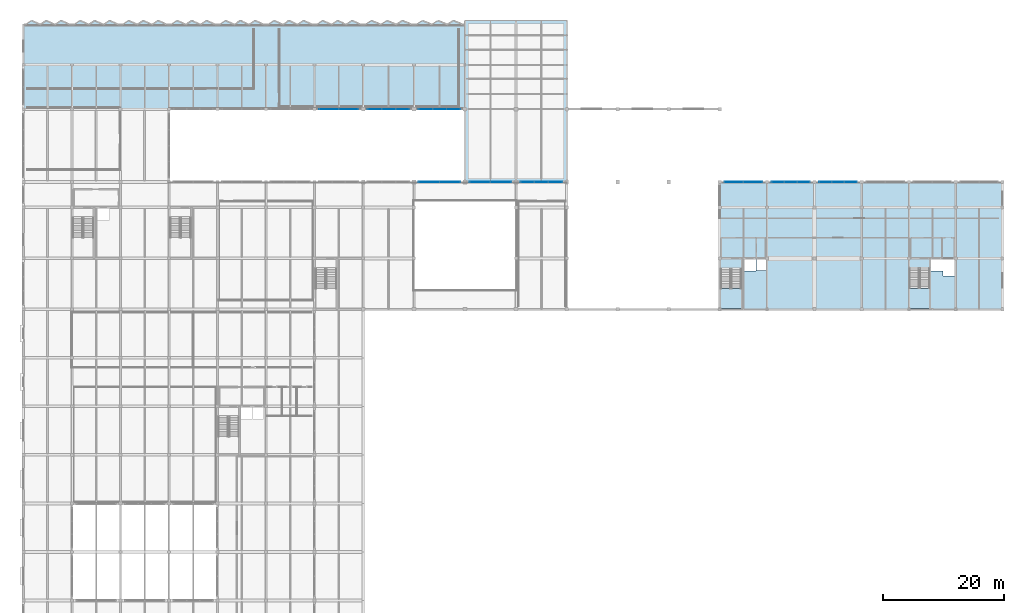
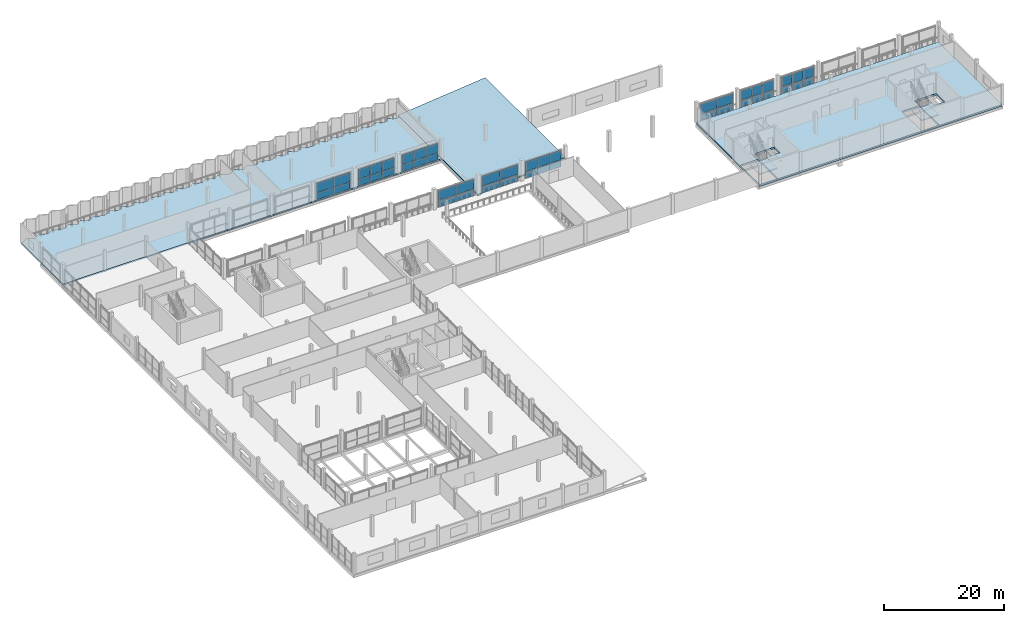
# One storey, part 35 of 53: 46 plates, 5 slabs, 11 elements without a shape of their own.
"""IFC4 building model written with IfcOpenShell, lengths in metres."""

from ifc_helpers import new_model, si_unit, direction, frame, origin, origin_2d, place, context, subcontext, project, spatial, polyline, rectangle, outline, extrude, material, layer, layer_set, type_object, element, aggregate, save


model = new_model("IFC4")

# Units and contexts
model_context = context("Model", 3, precision=1e-05, world=origin(), true_north=direction((0.0, 1.0)))
body_context = subcontext(model_context, "Body", "Model", "MODEL_VIEW")
ifc_project = project(units=[si_unit("LENGTHUNIT", "METRE"), si_unit("AREAUNIT", "SQUARE_METRE"), si_unit("VOLUMEUNIT", "CUBIC_METRE"), si_unit("PLANEANGLEUNIT", "RADIAN"), si_unit("MASSUNIT", "GRAM", prefix="KILO")], contexts=[model_context])

# Site, building, storey
site_placement = place(None, origin())
site = spatial("IfcSite", under=ifc_project, at=site_placement, CompositionType="ELEMENT")
building_placement = place(site_placement, origin())
building = spatial("IfcBuilding", under=site, at=building_placement, Name="Vharandega Faculty of Natural Sciences", CompositionType="ELEMENT")
storey_placement = place(building_placement, frame((0.0, 0.0, 10.199951171875)))
storey = spatial("IfcBuildingStorey", under=building, at=storey_placement, Name="L02", CompositionType="ELEMENT", Elevation=10.199951171875)

# Curtain wall, plates
ifc_material_1 = material(Name="Aluminium and solar-control glass curtain wall", Category="aluminium")
curtain_wall_type_1 = type_object("IfcCurtainWallType", Name="Unitised Curtain Wall System CW-09", PredefinedType="NOTDEFINED", material=ifc_material_1)
curtain_wall_1_placement = place(storey_placement, origin())
curtain_wall_1 = element("IfcCurtainWall", 1, at=curtain_wall_1_placement, inside=storey, type_object=curtain_wall_type_1, Name="Curtain Wall CW-L02-008", PredefinedType="NOTDEFINED")
ifc_material_2 = material(Name="Double-glazed low-E solar glass", Category="glass")
ifc_layer_1 = layer(ifc_material_2, 0.028076171875, Name="Double-glazed low-E solar glass")
ifc_layer_set_1 = layer_set([ifc_layer_1], Name="Double-glazed low-E solar glass")
plate_type = type_object("IfcPlateType", Name="CW Solar Vision Panel 28mm", PredefinedType="CURTAIN_PANEL", material=ifc_layer_set_1)
plate_1_placement = place(storey_placement, frame((117.135009765625, 85.0, 0.06005859375), z_axis=(0.0, 0.0, 1.0), x_axis=(1.0, 0.0, 0.0)))
plate_1 = element("IfcPlate", 2, at=plate_1_placement, type_object=plate_type, Name="CW-09 panel 1.1", PredefinedType="CURTAIN_PANEL", context=body_context, shape_type="SweptSolid", body=[
    extrude(rectangle(XDim=3.070068359375, YDim=0.028076171875, at=origin_2d()), origin(), (0.0, 0.0, 1.0), 1.36328125),
])
plate_2_placement = place(storey_placement, frame((117.135009765625, 85.0, 1.4833984375), z_axis=(0.0, 0.0, 1.0), x_axis=(1.0, 0.0, 0.0)))
plate_2 = element("IfcPlate", 3, at=plate_2_placement, type_object=plate_type, Name="CW-09 panel 1.2", PredefinedType="CURTAIN_PANEL", context=body_context, shape_type="SweptSolid", body=[
    extrude(rectangle(XDim=3.070068359375, YDim=0.028076171875, at=origin_2d()), origin(), (0.0, 0.0, 1.0), 1.916748046875),
])
plate_3_placement = place(storey_placement, frame((120.264892578125, 85.0, 0.06005859375), z_axis=(0.0, 0.0, 1.0), x_axis=(1.0, 0.0, 0.0)))
plate_3 = element("IfcPlate", 4, at=plate_3_placement, type_object=plate_type, Name="CW-09 panel 2.1", PredefinedType="CURTAIN_PANEL", context=body_context, shape_type="SweptSolid", body=[
    extrude(rectangle(XDim=3.070068359375, YDim=0.028076171875, at=origin_2d()), origin(), (0.0, 0.0, 1.0), 1.36328125),
])
plate_4_placement = place(storey_placement, frame((120.264892578125, 85.0, 1.4833984375), z_axis=(0.0, 0.0, 1.0), x_axis=(1.0, 0.0, 0.0)))
plate_4 = element("IfcPlate", 5, at=plate_4_placement, type_object=plate_type, Name="CW-09 panel 2.2", PredefinedType="CURTAIN_PANEL", context=body_context, shape_type="SweptSolid", body=[
    extrude(rectangle(XDim=3.070068359375, YDim=0.028076171875, at=origin_2d()), origin(), (0.0, 0.0, 1.0), 1.916748046875),
])
aggregate(curtain_wall_1, [plate_1, plate_2, plate_3, plate_4])

ifc_material_3 = material(Name="Aluminium and solar-control glass curtain wall", Category="aluminium")
curtain_wall_type_2 = type_object("IfcCurtainWallType", Name="Unitised Curtain Wall System CW-10", PredefinedType="NOTDEFINED", material=ifc_material_3)
curtain_wall_2_placement = place(storey_placement, origin())
curtain_wall_2 = element("IfcCurtainWall", 6, at=curtain_wall_2_placement, inside=storey, type_object=curtain_wall_type_2, Name="Curtain Wall CW-L02-009", PredefinedType="NOTDEFINED")
plate_5_placement = place(storey_placement, frame((124.408447265625, 85.0, 0.06005859375), z_axis=(0.0, 0.0, 1.0), x_axis=(1.0, 0.0, 0.0)))
plate_5 = element("IfcPlate", 7, at=plate_5_placement, type_object=plate_type, Name="CW-10 panel 1.1", PredefinedType="CURTAIN_PANEL", context=body_context, shape_type="SweptSolid", body=[
    extrude(rectangle(XDim=2.0166015625, YDim=0.028076171875, at=origin_2d()), origin(), (0.0, 0.0, 1.0), 1.36328125),
])
plate_6_placement = place(storey_placement, frame((124.408447265625, 85.0, 1.4833984375), z_axis=(0.0, 0.0, 1.0), x_axis=(1.0, 0.0, 0.0)))
plate_6 = element("IfcPlate", 8, at=plate_6_placement, type_object=plate_type, Name="CW-10 panel 1.2", PredefinedType="CURTAIN_PANEL", context=body_context, shape_type="SweptSolid", body=[
    extrude(rectangle(XDim=2.0166015625, YDim=0.028076171875, at=origin_2d()), origin(), (0.0, 0.0, 1.0), 1.916748046875),
])
plate_7_placement = place(storey_placement, frame((126.5, 85.0, 0.06005859375), z_axis=(0.0, 0.0, 1.0), x_axis=(1.0, 0.0, 0.0)))
plate_7 = element("IfcPlate", 9, at=plate_7_placement, type_object=plate_type, Name="CW-10 panel 2.1", PredefinedType="CURTAIN_PANEL", context=body_context, shape_type="SweptSolid", body=[
    extrude(rectangle(XDim=2.046630859375, YDim=0.028076171875, at=origin_2d()), origin(), (0.0, 0.0, 1.0), 1.36328125),
])
plate_8_placement = place(storey_placement, frame((126.5, 85.0, 1.4833984375), z_axis=(0.0, 0.0, 1.0), x_axis=(1.0, 0.0, 0.0)))
plate_8 = element("IfcPlate", 10, at=plate_8_placement, type_object=plate_type, Name="CW-10 panel 2.2", PredefinedType="CURTAIN_PANEL", context=body_context, shape_type="SweptSolid", body=[
    extrude(rectangle(XDim=2.046630859375, YDim=0.028076171875, at=origin_2d()), origin(), (0.0, 0.0, 1.0), 1.916748046875),
])
plate_9_placement = place(storey_placement, frame((128.591552734375, 85.0, 0.06005859375), z_axis=(0.0, 0.0, 1.0), x_axis=(1.0, 0.0, 0.0)))
plate_9 = element("IfcPlate", 11, at=plate_9_placement, type_object=plate_type, Name="CW-10 panel 3.1", PredefinedType="CURTAIN_PANEL", context=body_context, shape_type="SweptSolid", body=[
    extrude(rectangle(XDim=2.0166015625, YDim=0.028076171875, at=origin_2d()), origin(), (0.0, 0.0, 1.0), 1.36328125),
])
plate_10_placement = place(storey_placement, frame((128.591552734375, 85.0, 1.4833984375), z_axis=(0.0, 0.0, 1.0), x_axis=(1.0, 0.0, 0.0)))
plate_10 = element("IfcPlate", 12, at=plate_10_placement, type_object=plate_type, Name="CW-10 panel 3.2", PredefinedType="CURTAIN_PANEL", context=body_context, shape_type="SweptSolid", body=[
    extrude(rectangle(XDim=2.0166015625, YDim=0.028076171875, at=origin_2d()), origin(), (0.0, 0.0, 1.0), 1.916748046875),
])
aggregate(curtain_wall_2, [plate_5, plate_6, plate_7, plate_8, plate_9, plate_10])

ifc_material_4 = material(Name="Aluminium and solar-control glass curtain wall", Category="aluminium")
curtain_wall_type_3 = type_object("IfcCurtainWallType", Name="Unitised Curtain Wall System CW-11", PredefinedType="NOTDEFINED", material=ifc_material_4)
curtain_wall_3_placement = place(storey_placement, origin())
curtain_wall_3 = element("IfcCurtainWall", 13, at=curtain_wall_3_placement, inside=storey, type_object=curtain_wall_type_3, Name="Curtain Wall CW-L02-010", PredefinedType="NOTDEFINED")
plate_11_placement = place(storey_placement, frame((132.208251953125, 85.0, 0.06005859375), z_axis=(0.0, 0.0, 1.0), x_axis=(1.0, 0.0, 0.0)))
plate_11 = element("IfcPlate", 14, at=plate_11_placement, type_object=plate_type, Name="CW-11 panel 1.1", PredefinedType="CURTAIN_PANEL", context=body_context, shape_type="SweptSolid", body=[
    extrude(rectangle(XDim=2.0166015625, YDim=0.028076171875, at=origin_2d()), origin(), (0.0, 0.0, 1.0), 1.36328125),
])
plate_12_placement = place(storey_placement, frame((132.208251953125, 85.0, 1.4833984375), z_axis=(0.0, 0.0, 1.0), x_axis=(1.0, 0.0, 0.0)))
plate_12 = element("IfcPlate", 15, at=plate_12_placement, type_object=plate_type, Name="CW-11 panel 1.2", PredefinedType="CURTAIN_PANEL", context=body_context, shape_type="SweptSolid", body=[
    extrude(rectangle(XDim=2.0166015625, YDim=0.028076171875, at=origin_2d()), origin(), (0.0, 0.0, 1.0), 1.916748046875),
])
plate_13_placement = place(storey_placement, frame((134.300048828125, 85.0, 0.06005859375), z_axis=(0.0, 0.0, 1.0), x_axis=(1.0, 0.0, 0.0)))
plate_13 = element("IfcPlate", 16, at=plate_13_placement, type_object=plate_type, Name="CW-11 panel 2.1", PredefinedType="CURTAIN_PANEL", context=body_context, shape_type="SweptSolid", body=[
    extrude(rectangle(XDim=2.046630859375, YDim=0.028076171875, at=origin_2d()), origin(), (0.0, 0.0, 1.0), 1.36328125),
])
plate_14_placement = place(storey_placement, frame((134.300048828125, 85.0, 1.4833984375), z_axis=(0.0, 0.0, 1.0), x_axis=(1.0, 0.0, 0.0)))
plate_14 = element("IfcPlate", 17, at=plate_14_placement, type_object=plate_type, Name="CW-11 panel 2.2", PredefinedType="CURTAIN_PANEL", context=body_context, shape_type="SweptSolid", body=[
    extrude(rectangle(XDim=2.046630859375, YDim=0.028076171875, at=origin_2d()), origin(), (0.0, 0.0, 1.0), 1.916748046875),
])
plate_15_placement = place(storey_placement, frame((136.3916015625, 85.0, 0.06005859375), z_axis=(0.0, 0.0, 1.0), x_axis=(1.0, 0.0, 0.0)))
plate_15 = element("IfcPlate", 18, at=plate_15_placement, type_object=plate_type, Name="CW-11 panel 3.1", PredefinedType="CURTAIN_PANEL", context=body_context, shape_type="SweptSolid", body=[
    extrude(rectangle(XDim=2.0166015625, YDim=0.028076171875, at=origin_2d()), origin(), (0.0, 0.0, 1.0), 1.36328125),
])
plate_16_placement = place(storey_placement, frame((136.3916015625, 85.0, 1.4833984375), z_axis=(0.0, 0.0, 1.0), x_axis=(1.0, 0.0, 0.0)))
plate_16 = element("IfcPlate", 19, at=plate_16_placement, type_object=plate_type, Name="CW-11 panel 3.2", PredefinedType="CURTAIN_PANEL", context=body_context, shape_type="SweptSolid", body=[
    extrude(rectangle(XDim=2.0166015625, YDim=0.028076171875, at=origin_2d()), origin(), (0.0, 0.0, 1.0), 1.916748046875),
])
aggregate(curtain_wall_3, [plate_11, plate_12, plate_13, plate_14, plate_15, plate_16])

ifc_material_5 = material(Name="Aluminium and solar-control glass curtain wall", Category="aluminium")
curtain_wall_type_4 = type_object("IfcCurtainWallType", Name="Unitised Curtain Wall System CW-04", PredefinedType="NOTDEFINED", material=ifc_material_5)
curtain_wall_4_placement = place(storey_placement, origin())
curtain_wall_4 = element("IfcCurtainWall", 20, at=curtain_wall_4_placement, inside=storey, type_object=curtain_wall_type_4, Name="Curtain Wall CW-L02-059", PredefinedType="NOTDEFINED")
plate_17_placement = place(storey_placement, frame((50.385009765625, 97.0, 0.06005859375), z_axis=(0.0, 0.0, 1.0), x_axis=(1.0, 0.0, 0.0)))
plate_17 = element("IfcPlate", 21, at=plate_17_placement, type_object=plate_type, Name="CW-04 panel 1.1", PredefinedType="CURTAIN_PANEL", context=body_context, shape_type="SweptSolid", body=[
    extrude(rectangle(XDim=3.169921875, YDim=0.028076171875, at=origin_2d()), origin(), (0.0, 0.0, 1.0), 1.36328125),
])
plate_18_placement = place(storey_placement, frame((50.385009765625, 97.0, 1.4833984375), z_axis=(0.0, 0.0, 1.0), x_axis=(1.0, 0.0, 0.0)))
plate_18 = element("IfcPlate", 22, at=plate_18_placement, type_object=plate_type, Name="CW-04 panel 1.2", PredefinedType="CURTAIN_PANEL", context=body_context, shape_type="SweptSolid", body=[
    extrude(rectangle(XDim=3.169921875, YDim=0.028076171875, at=origin_2d()), origin(), (0.0, 0.0, 1.0), 1.916748046875),
])
plate_19_placement = place(storey_placement, frame((53.614990234375, 97.0, 0.06005859375), z_axis=(0.0, 0.0, 1.0), x_axis=(1.0, 0.0, 0.0)))
plate_19 = element("IfcPlate", 23, at=plate_19_placement, type_object=plate_type, Name="CW-04 panel 2.1", PredefinedType="CURTAIN_PANEL", context=body_context, shape_type="SweptSolid", body=[
    extrude(rectangle(XDim=3.169921875, YDim=0.028076171875, at=origin_2d()), origin(), (0.0, 0.0, 1.0), 1.36328125),
])
plate_20_placement = place(storey_placement, frame((53.614990234375, 97.0, 1.4833984375), z_axis=(0.0, 0.0, 1.0), x_axis=(1.0, 0.0, 0.0)))
plate_20 = element("IfcPlate", 24, at=plate_20_placement, type_object=plate_type, Name="CW-04 panel 2.2", PredefinedType="CURTAIN_PANEL", context=body_context, shape_type="SweptSolid", body=[
    extrude(rectangle(XDim=3.169921875, YDim=0.028076171875, at=origin_2d()), origin(), (0.0, 0.0, 1.0), 1.916748046875),
])
aggregate(curtain_wall_4, [plate_17, plate_18, plate_19, plate_20])

ifc_material_6 = material(Name="Aluminium and solar-control glass curtain wall", Category="aluminium")
curtain_wall_type_5 = type_object("IfcCurtainWallType", Name="Unitised Curtain Wall System CW-05", PredefinedType="NOTDEFINED", material=ifc_material_6)
curtain_wall_5_placement = place(storey_placement, origin())
curtain_wall_5 = element("IfcCurtainWall", 25, at=curtain_wall_5_placement, inside=storey, type_object=curtain_wall_type_5, Name="Curtain Wall CW-L02-060", PredefinedType="NOTDEFINED")
plate_21_placement = place(storey_placement, frame((57.908447265625, 97.0, 0.06005859375), z_axis=(0.0, 0.0, 1.0), x_axis=(1.0, 0.0, 0.0)))
plate_21 = element("IfcPlate", 26, at=plate_21_placement, type_object=plate_type, Name="CW-05 panel 1.1", PredefinedType="CURTAIN_PANEL", context=body_context, shape_type="SweptSolid", body=[
    extrude(rectangle(XDim=2.216552734375, YDim=0.028076171875, at=origin_2d()), origin(), (0.0, 0.0, 1.0), 1.36328125),
])
plate_22_placement = place(storey_placement, frame((57.908447265625, 97.0, 1.4833984375), z_axis=(0.0, 0.0, 1.0), x_axis=(1.0, 0.0, 0.0)))
plate_22 = element("IfcPlate", 27, at=plate_22_placement, type_object=plate_type, Name="CW-05 panel 1.2", PredefinedType="CURTAIN_PANEL", context=body_context, shape_type="SweptSolid", body=[
    extrude(rectangle(XDim=2.216552734375, YDim=0.028076171875, at=origin_2d()), origin(), (0.0, 0.0, 1.0), 1.916748046875),
])
plate_23_placement = place(storey_placement, frame((60.199951171875, 97.0, 0.06005859375), z_axis=(0.0, 0.0, 1.0), x_axis=(1.0, 0.0, 0.0)))
plate_23 = element("IfcPlate", 28, at=plate_23_placement, type_object=plate_type, Name="CW-05 panel 2.1", PredefinedType="CURTAIN_PANEL", context=body_context, shape_type="SweptSolid", body=[
    extrude(rectangle(XDim=2.24658203125, YDim=0.028076171875, at=origin_2d()), origin(), (0.0, 0.0, 1.0), 1.36328125),
])
plate_24_placement = place(storey_placement, frame((60.199951171875, 97.0, 1.4833984375), z_axis=(0.0, 0.0, 1.0), x_axis=(1.0, 0.0, 0.0)))
plate_24 = element("IfcPlate", 29, at=plate_24_placement, type_object=plate_type, Name="CW-05 panel 2.2", PredefinedType="CURTAIN_PANEL", context=body_context, shape_type="SweptSolid", body=[
    extrude(rectangle(XDim=2.24658203125, YDim=0.028076171875, at=origin_2d()), origin(), (0.0, 0.0, 1.0), 1.916748046875),
])
plate_25_placement = place(storey_placement, frame((62.49169921875, 97.0, 0.06005859375), z_axis=(0.0, 0.0, 1.0), x_axis=(1.0, 0.0, 0.0)))
plate_25 = element("IfcPlate", 30, at=plate_25_placement, type_object=plate_type, Name="CW-05 panel 3.1", PredefinedType="CURTAIN_PANEL", context=body_context, shape_type="SweptSolid", body=[
    extrude(rectangle(XDim=2.216552734375, YDim=0.028076171875, at=origin_2d()), origin(), (0.0, 0.0, 1.0), 1.36328125),
])
plate_26_placement = place(storey_placement, frame((62.49169921875, 97.0, 1.4833984375), z_axis=(0.0, 0.0, 1.0), x_axis=(1.0, 0.0, 0.0)))
plate_26 = element("IfcPlate", 31, at=plate_26_placement, type_object=plate_type, Name="CW-05 panel 3.2", PredefinedType="CURTAIN_PANEL", context=body_context, shape_type="SweptSolid", body=[
    extrude(rectangle(XDim=2.216552734375, YDim=0.028076171875, at=origin_2d()), origin(), (0.0, 0.0, 1.0), 1.916748046875),
])
aggregate(curtain_wall_5, [plate_21, plate_22, plate_23, plate_24, plate_25, plate_26])

ifc_material_7 = material(Name="Aluminium and solar-control glass curtain wall", Category="aluminium")
curtain_wall_type_6 = type_object("IfcCurtainWallType", Name="Unitised Curtain Wall System CW-06", PredefinedType="NOTDEFINED", material=ifc_material_7)
curtain_wall_6_placement = place(storey_placement, origin())
curtain_wall_6 = element("IfcCurtainWall", 32, at=curtain_wall_6_placement, inside=storey, type_object=curtain_wall_type_6, Name="Curtain Wall CW-L02-061", PredefinedType="NOTDEFINED")
plate_27_placement = place(storey_placement, frame((66.308349609375, 97.0, 0.06005859375), z_axis=(0.0, 0.0, 1.0), x_axis=(1.0, 0.0, 0.0)))
plate_27 = element("IfcPlate", 33, at=plate_27_placement, type_object=plate_type, Name="CW-06 panel 1.1", PredefinedType="CURTAIN_PANEL", context=body_context, shape_type="SweptSolid", body=[
    extrude(rectangle(XDim=2.216552734375, YDim=0.028076171875, at=origin_2d()), origin(), (0.0, 0.0, 1.0), 1.36328125),
])
plate_28_placement = place(storey_placement, frame((66.308349609375, 97.0, 1.4833984375), z_axis=(0.0, 0.0, 1.0), x_axis=(1.0, 0.0, 0.0)))
plate_28 = element("IfcPlate", 34, at=plate_28_placement, type_object=plate_type, Name="CW-06 panel 1.2", PredefinedType="CURTAIN_PANEL", context=body_context, shape_type="SweptSolid", body=[
    extrude(rectangle(XDim=2.216552734375, YDim=0.028076171875, at=origin_2d()), origin(), (0.0, 0.0, 1.0), 1.916748046875),
])
plate_29_placement = place(storey_placement, frame((68.60009765625, 97.0, 0.06005859375), z_axis=(0.0, 0.0, 1.0), x_axis=(1.0, 0.0, 0.0)))
plate_29 = element("IfcPlate", 35, at=plate_29_placement, type_object=plate_type, Name="CW-06 panel 2.1", PredefinedType="CURTAIN_PANEL", context=body_context, shape_type="SweptSolid", body=[
    extrude(rectangle(XDim=2.24658203125, YDim=0.028076171875, at=origin_2d()), origin(), (0.0, 0.0, 1.0), 1.36328125),
])
plate_30_placement = place(storey_placement, frame((68.60009765625, 97.0, 1.4833984375), z_axis=(0.0, 0.0, 1.0), x_axis=(1.0, 0.0, 0.0)))
plate_30 = element("IfcPlate", 36, at=plate_30_placement, type_object=plate_type, Name="CW-06 panel 2.2", PredefinedType="CURTAIN_PANEL", context=body_context, shape_type="SweptSolid", body=[
    extrude(rectangle(XDim=2.24658203125, YDim=0.028076171875, at=origin_2d()), origin(), (0.0, 0.0, 1.0), 1.916748046875),
])
plate_31_placement = place(storey_placement, frame((70.8916015625, 97.0, 0.06005859375), z_axis=(0.0, 0.0, 1.0), x_axis=(1.0, 0.0, 0.0)))
plate_31 = element("IfcPlate", 37, at=plate_31_placement, type_object=plate_type, Name="CW-06 panel 3.1", PredefinedType="CURTAIN_PANEL", context=body_context, shape_type="SweptSolid", body=[
    extrude(rectangle(XDim=2.216552734375, YDim=0.028076171875, at=origin_2d()), origin(), (0.0, 0.0, 1.0), 1.36328125),
])
plate_32_placement = place(storey_placement, frame((70.8916015625, 97.0, 1.4833984375), z_axis=(0.0, 0.0, 1.0), x_axis=(1.0, 0.0, 0.0)))
plate_32 = element("IfcPlate", 38, at=plate_32_placement, type_object=plate_type, Name="CW-06 panel 3.2", PredefinedType="CURTAIN_PANEL", context=body_context, shape_type="SweptSolid", body=[
    extrude(rectangle(XDim=2.216552734375, YDim=0.028076171875, at=origin_2d()), origin(), (0.0, 0.0, 1.0), 1.916748046875),
])
aggregate(curtain_wall_6, [plate_27, plate_28, plate_29, plate_30, plate_31, plate_32])

ifc_material_8 = material(Name="Aluminium and solar-control glass curtain wall", Category="aluminium")
curtain_wall_type_7 = type_object("IfcCurtainWallType", Name="Unitised Curtain Wall System CW-08", PredefinedType="NOTDEFINED", material=ifc_material_8)
curtain_wall_7_placement = place(storey_placement, origin())
curtain_wall_7 = element("IfcCurtainWall", 39, at=curtain_wall_7_placement, inside=storey, type_object=curtain_wall_type_7, Name="Curtain Wall CW-L02-091", PredefinedType="NOTDEFINED")
plate_33_placement = place(storey_placement, frame((66.885009765625, 85.0, 0.06005859375), z_axis=(0.0, 0.0, 1.0), x_axis=(1.0, 0.0, 0.0)))
plate_33 = element("IfcPlate", 40, at=plate_33_placement, type_object=plate_type, Name="CW-08 panel 1.1", PredefinedType="CURTAIN_PANEL", context=body_context, shape_type="SweptSolid", body=[
    extrude(rectangle(XDim=3.3701171875, YDim=0.028076171875, at=origin_2d()), origin(), (0.0, 0.0, 1.0), 1.36328125),
])
plate_34_placement = place(storey_placement, frame((66.885009765625, 85.0, 1.4833984375), z_axis=(0.0, 0.0, 1.0), x_axis=(1.0, 0.0, 0.0)))
plate_34 = element("IfcPlate", 41, at=plate_34_placement, type_object=plate_type, Name="CW-08 panel 1.2", PredefinedType="CURTAIN_PANEL", context=body_context, shape_type="SweptSolid", body=[
    extrude(rectangle(XDim=3.3701171875, YDim=0.028076171875, at=origin_2d()), origin(), (0.0, 0.0, 1.0), 1.916748046875),
])
plate_35_placement = place(storey_placement, frame((70.31494140625, 85.0, 0.06005859375), z_axis=(0.0, 0.0, 1.0), x_axis=(1.0, 0.0, 0.0)))
plate_35 = element("IfcPlate", 42, at=plate_35_placement, type_object=plate_type, Name="CW-08 panel 2.1", PredefinedType="CURTAIN_PANEL", context=body_context, shape_type="SweptSolid", body=[
    extrude(rectangle(XDim=3.3701171875, YDim=0.028076171875, at=origin_2d()), origin(), (0.0, 0.0, 1.0), 1.36328125),
])
plate_36_placement = place(storey_placement, frame((70.31494140625, 85.0, 1.4833984375), z_axis=(0.0, 0.0, 1.0), x_axis=(1.0, 0.0, 0.0)))
plate_36 = element("IfcPlate", 43, at=plate_36_placement, type_object=plate_type, Name="CW-08 panel 2.2", PredefinedType="CURTAIN_PANEL", context=body_context, shape_type="SweptSolid", body=[
    extrude(rectangle(XDim=3.3701171875, YDim=0.028076171875, at=origin_2d()), origin(), (0.0, 0.0, 1.0), 1.916748046875),
])
aggregate(curtain_wall_7, [plate_33, plate_34, plate_35, plate_36])

curtain_wall_8_placement = place(storey_placement, origin())
curtain_wall_8 = element("IfcCurtainWall", 44, at=curtain_wall_8_placement, inside=storey, type_object=curtain_wall_type_1, Name="Curtain Wall CW-L02-092", PredefinedType="NOTDEFINED")
plate_37_placement = place(storey_placement, frame((75.284912109375, 85.0, 0.06005859375), z_axis=(0.0, 0.0, 1.0), x_axis=(1.0, 0.0, 0.0)))
plate_37 = element("IfcPlate", 45, at=plate_37_placement, type_object=plate_type, Name="CW-09 panel 1.1", PredefinedType="CURTAIN_PANEL", context=body_context, shape_type="SweptSolid", body=[
    extrude(rectangle(XDim=3.3701171875, YDim=0.028076171875, at=origin_2d()), origin(), (0.0, 0.0, 1.0), 1.36328125),
])
plate_38_placement = place(storey_placement, frame((75.284912109375, 85.0, 1.4833984375), z_axis=(0.0, 0.0, 1.0), x_axis=(1.0, 0.0, 0.0)))
plate_38 = element("IfcPlate", 46, at=plate_38_placement, type_object=plate_type, Name="CW-09 panel 1.2", PredefinedType="CURTAIN_PANEL", context=body_context, shape_type="SweptSolid", body=[
    extrude(rectangle(XDim=3.3701171875, YDim=0.028076171875, at=origin_2d()), origin(), (0.0, 0.0, 1.0), 1.916748046875),
])
plate_39_placement = place(storey_placement, frame((78.715087890625, 85.0, 0.06005859375), z_axis=(0.0, 0.0, 1.0), x_axis=(1.0, 0.0, 0.0)))
plate_39 = element("IfcPlate", 47, at=plate_39_placement, type_object=plate_type, Name="CW-09 panel 2.1", PredefinedType="CURTAIN_PANEL", context=body_context, shape_type="SweptSolid", body=[
    extrude(rectangle(XDim=3.3701171875, YDim=0.028076171875, at=origin_2d()), origin(), (0.0, 0.0, 1.0), 1.36328125),
])
plate_40_placement = place(storey_placement, frame((78.715087890625, 85.0, 1.4833984375), z_axis=(0.0, 0.0, 1.0), x_axis=(1.0, 0.0, 0.0)))
plate_40 = element("IfcPlate", 48, at=plate_40_placement, type_object=plate_type, Name="CW-09 panel 2.2", PredefinedType="CURTAIN_PANEL", context=body_context, shape_type="SweptSolid", body=[
    extrude(rectangle(XDim=3.3701171875, YDim=0.028076171875, at=origin_2d()), origin(), (0.0, 0.0, 1.0), 1.916748046875),
])
aggregate(curtain_wall_8, [plate_37, plate_38, plate_39, plate_40])

curtain_wall_9_placement = place(storey_placement, origin())
curtain_wall_9 = element("IfcCurtainWall", 49, at=curtain_wall_9_placement, inside=storey, type_object=curtain_wall_type_2, Name="Curtain Wall CW-L02-093", PredefinedType="NOTDEFINED")
plate_41_placement = place(storey_placement, frame((83.1083984375, 85.0, 0.06005859375), z_axis=(0.0, 0.0, 1.0), x_axis=(1.0, 0.0, 0.0)))
plate_41 = element("IfcPlate", 50, at=plate_41_placement, type_object=plate_type, Name="CW-10 panel 1.1", PredefinedType="CURTAIN_PANEL", context=body_context, shape_type="SweptSolid", body=[
    extrude(rectangle(XDim=2.216552734375, YDim=0.028076171875, at=origin_2d()), origin(), (0.0, 0.0, 1.0), 1.36328125),
])
plate_42_placement = place(storey_placement, frame((83.1083984375, 85.0, 1.4833984375), z_axis=(0.0, 0.0, 1.0), x_axis=(1.0, 0.0, 0.0)))
plate_42 = element("IfcPlate", 51, at=plate_42_placement, type_object=plate_type, Name="CW-10 panel 1.2", PredefinedType="CURTAIN_PANEL", context=body_context, shape_type="SweptSolid", body=[
    extrude(rectangle(XDim=2.216552734375, YDim=0.028076171875, at=origin_2d()), origin(), (0.0, 0.0, 1.0), 1.916748046875),
])
plate_43_placement = place(storey_placement, frame((85.39990234375, 85.0, 0.06005859375), z_axis=(0.0, 0.0, 1.0), x_axis=(1.0, 0.0, 0.0)))
plate_43 = element("IfcPlate", 52, at=plate_43_placement, type_object=plate_type, Name="CW-10 panel 2.1", PredefinedType="CURTAIN_PANEL", context=body_context, shape_type="SweptSolid", body=[
    extrude(rectangle(XDim=2.24658203125, YDim=0.028076171875, at=origin_2d()), origin(), (0.0, 0.0, 1.0), 1.36328125),
])
plate_44_placement = place(storey_placement, frame((85.39990234375, 85.0, 1.4833984375), z_axis=(0.0, 0.0, 1.0), x_axis=(1.0, 0.0, 0.0)))
plate_44 = element("IfcPlate", 53, at=plate_44_placement, type_object=plate_type, Name="CW-10 panel 2.2", PredefinedType="CURTAIN_PANEL", context=body_context, shape_type="SweptSolid", body=[
    extrude(rectangle(XDim=2.24658203125, YDim=0.028076171875, at=origin_2d()), origin(), (0.0, 0.0, 1.0), 1.916748046875),
])
plate_45_placement = place(storey_placement, frame((87.691650390625, 85.0, 0.06005859375), z_axis=(0.0, 0.0, 1.0), x_axis=(1.0, 0.0, 0.0)))
plate_45 = element("IfcPlate", 54, at=plate_45_placement, type_object=plate_type, Name="CW-10 panel 3.1", PredefinedType="CURTAIN_PANEL", context=body_context, shape_type="SweptSolid", body=[
    extrude(rectangle(XDim=2.216552734375, YDim=0.028076171875, at=origin_2d()), origin(), (0.0, 0.0, 1.0), 1.36328125),
])
plate_46_placement = place(storey_placement, frame((87.691650390625, 85.0, 1.4833984375), z_axis=(0.0, 0.0, 1.0), x_axis=(1.0, 0.0, 0.0)))
plate_46 = element("IfcPlate", 55, at=plate_46_placement, type_object=plate_type, Name="CW-10 panel 3.2", PredefinedType="CURTAIN_PANEL", context=body_context, shape_type="SweptSolid", body=[
    extrude(rectangle(XDim=2.216552734375, YDim=0.028076171875, at=origin_2d()), origin(), (0.0, 0.0, 1.0), 1.916748046875),
])
aggregate(curtain_wall_9, [plate_41, plate_42, plate_43, plate_44, plate_45, plate_46])

# Slabs
ifc_material_9 = material(Name="Concrete C40/50", Category="concrete")
ifc_layer_2 = layer(ifc_material_9, 0.239990234375, Name="Concrete C40/50")
ifc_layer_set_2 = layer_set([ifc_layer_2], Name="Concrete C40/50")
slab_type_1 = type_object("IfcSlabType", Name="ROOF-CANOPY-240", PredefinedType="ROOF", material=ifc_layer_set_2)
slab_1_placement = place(storey_placement, frame((72.800048828125, 85.0, 0.0), z_axis=(-0.104535071072, 0.0, 0.994521200838), x_axis=(0.994521200838, 0.0, 0.104535071072)))
element("IfcSlab", 56, at=slab_1_placement, inside=storey, type_object=slab_type_1, Name="L02 V6 Pitched Roof Slab", PredefinedType="ROOF", context=body_context, shape_type="SweptSolid", body=[
    extrude(outline(polyline([(0.0, 0.0), (16.892599990800583, 0.0), (16.892599990800583, 26.60009765625), (0.0, 26.60009765625), (0.0, 0.0)])), origin(), (0.0, 0.0, -1.0), 0.239990234375),
])
ifc_material_10 = material(Name="Concrete C40/50", Category="concrete")
ifc_layer_3 = layer(ifc_material_10, 0.260009765625, Name="Concrete C40/50")
ifc_layer_set_3 = layer_set([ifc_layer_3], Name="Concrete C40/50")
slab_type_2 = type_object("IfcSlabType", Name="SLAB-RC-260", PredefinedType="FLOOR", material=ifc_layer_set_3)
slab_2_placement = place(storey_placement, frame((0.0, 0.0, -0.260009765625)))
element("IfcSlab", 57, at=slab_2_placement, inside=storey, type_object=slab_type_2, Name="L02 V2 Floor Slab", PredefinedType="FLOOR", context=body_context, shape_type="SweptSolid", body=[
    extrude(outline(polyline([(0.0, 97.0), (72.800048828125, 97.0), (72.800048828125, 110.949951171875), (72.43994140625, 110.949951171875), (70.904052734375, 111.60009765625), (69.8798828125, 110.949951171875), (69.8798828125, 110.949951171875), (68.343994140625, 111.60009765625), (67.320068359375, 110.949951171875), (67.320068359375, 110.949951171875), (65.783935546875, 111.60009765625), (64.760009765625, 110.949951171875), (64.0400390625, 110.949951171875), (62.50390625, 111.60009765625), (61.47998046875, 110.949951171875), (61.47998046875, 110.949951171875), (59.944091796875, 111.60009765625), (58.919921875, 110.949951171875), (58.919921875, 110.949951171875), (57.384033203125, 111.60009765625), (56.360107421875, 110.949951171875), (55.639892578125, 110.949951171875), (54.18408203125, 111.60009765625), (53.21337890625, 110.949951171875), (53.21337890625, 110.949951171875), (51.75732421875, 111.60009765625), (50.78662109375, 110.949951171875), (50.78662109375, 110.949951171875), (49.330810546875, 111.60009765625), (48.360107421875, 110.949951171875), (47.639892578125, 110.949951171875), (46.18408203125, 111.60009765625), (45.21337890625, 110.949951171875), (45.21337890625, 110.949951171875), (43.75732421875, 111.60009765625), (42.78662109375, 110.949951171875), (42.78662109375, 110.949951171875), (41.330810546875, 111.60009765625), (40.360107421875, 110.949951171875), (39.639892578125, 110.949951171875), (38.18408203125, 111.60009765625), (37.21337890625, 110.949951171875), (37.21337890625, 110.949951171875), (35.75732421875, 111.60009765625), (34.78662109375, 110.949951171875), (34.78662109375, 110.949951171875), (33.330810546875, 111.60009765625), (32.360107421875, 110.949951171875), (31.639892578125, 110.949951171875), (30.18408203125, 111.60009765625), (29.21337890625, 110.949951171875), (29.21337890625, 110.949951171875), (27.75732421875, 111.60009765625), (26.78662109375, 110.949951171875), (26.78662109375, 110.949951171875), (25.330810546875, 111.60009765625), (24.360107421875, 110.949951171875), (23.639892578125, 110.949951171875), (22.18408203125, 111.60009765625), (21.21337890625, 110.949951171875), (21.21337890625, 110.949951171875), (19.75732421875, 111.60009765625), (18.78662109375, 110.949951171875), (18.78662109375, 110.949951171875), (17.330810546875, 111.60009765625), (16.360107421875, 110.949951171875), (15.639892578125, 110.949951171875), (14.18408203125, 111.60009765625), (13.21337890625, 110.949951171875), (13.21337890625, 110.949951171875), (11.75732421875, 111.60009765625), (10.78662109375, 110.949951171875), (10.78662109375, 110.949951171875), (9.330810546875, 111.60009765625), (8.360107421875, 110.949951171875), (7.639892578125, 110.949951171875), (6.18408203125, 111.60009765625), (5.21337890625, 110.949951171875), (5.21337890625, 110.949951171875), (3.75732421875, 111.60009765625), (2.78662109375, 110.949951171875), (2.78662109375, 110.949951171875), (1.330810546875, 111.60009765625), (0.360107421875, 110.949951171875), (0.0, 110.949951171875), (0.0, 97.0)])), origin(), (0.0, 0.0, 1.0), 0.260009765625),
])
ifc_material_11 = material(Name="Concrete C40/50", Category="concrete")
ifc_layer_4 = layer(ifc_material_11, 0.35009765625, Name="Concrete C40/50")
ifc_layer_set_4 = layer_set([ifc_layer_4], Name="Concrete C40/50")
slab_type_3 = type_object("IfcSlabType", Name="SLAB-TRANS-350", PredefinedType="FLOOR", material=ifc_layer_set_4)
slab_3_placement = place(storey_placement, frame((0.0, 0.0, -0.349853515625)))
element("IfcSlab", 58, at=slab_3_placement, inside=storey, type_object=slab_type_3, Name="L02 V4 Floor Slab", PredefinedType="FLOOR", context=body_context, shape_type="SweptSolid", body=[
    extrude(outline(polyline([(114.800048828125, 64.0), (161.39990234375, 64.0), (161.39990234375, 85.0), (114.800048828125, 85.0), (114.800048828125, 64.0)]), holes=[polyline([(114.93994140625, 70.544921875), (114.93994140625, 64.139892578125), (118.360107421875, 64.139892578125), (118.360107421875, 70.544921875), (114.93994140625, 70.544921875)]), polyline([(118.64990234375, 70.300048828125), (120.75, 70.300048828125), (120.75, 72.219970703125), (118.64990234375, 72.219970703125), (118.64990234375, 70.300048828125)]), polyline([(120.85009765625, 70.39990234375), (122.47998046875, 70.39990234375), (122.47998046875, 72.219970703125), (120.85009765625, 72.219970703125), (120.85009765625, 70.39990234375)]), polyline([(146.06005859375, 70.594970703125), (146.06005859375, 64.139892578125), (149.3798828125, 64.139892578125), (149.3798828125, 70.594970703125), (146.06005859375, 70.594970703125)]), polyline([(149.449951171875, 70.300048828125), (151.570068359375, 70.300048828125), (151.570068359375, 72.219970703125), (149.449951171875, 72.219970703125), (149.449951171875, 70.300048828125)]), polyline([(151.6201171875, 69.5), (153.639892578125, 69.5), (153.639892578125, 72.219970703125), (151.6201171875, 72.219970703125), (151.6201171875, 69.5)])]), origin(), (0.0, 0.0, 1.0), 0.349853515625),
])

# Stair, slab
ifc_material_12 = material(Name="Concrete C40/50", Category="concrete")
stair_type_1 = type_object("IfcStairType", Name="Escape Dog-Leg Stair W165 H420", PredefinedType="HALF_TURN_STAIR", material=ifc_material_12)
stair_1_placement = place(storey_placement, origin())
stair_1 = element("IfcStair", 59, at=stair_1_placement, inside=storey, type_object=stair_type_1, Name="L02 Escape Stair ST1", PredefinedType="HALF_TURN_STAIR")
ifc_material_13 = material(Name="Concrete C40/50", Category="concrete")
ifc_layer_5 = layer(ifc_material_13, 0.199951171875, Name="Concrete C40/50")
ifc_layer_set_5 = layer_set([ifc_layer_5], Name="Concrete C40/50")
slab_type_4 = type_object("IfcSlabType", Name="Stair Half-Landing Slab 200", PredefinedType="LANDING", material=ifc_layer_set_5)
slab_4_placement = place(storey_placement, frame((0.0, 0.0, 1.900146484375)))
slab_4 = element("IfcSlab", 60, at=slab_4_placement, type_object=slab_type_4, Name="ST1 landing 1", PredefinedType="LANDING", context=body_context, shape_type="SweptSolid", body=[
    extrude(outline(polyline([(114.93994140625, 67.419921875), (114.93994140625, 64.139892578125), (118.360107421875, 64.139892578125), (118.360107421875, 67.419921875), (114.93994140625, 67.419921875)])), origin(), (0.0, 0.0, 1.0), 0.199951171875),
])
aggregate(stair_1, [slab_4])

ifc_material_14 = material(Name="Concrete C40/50", Category="concrete")
stair_type_2 = type_object("IfcStairType", Name="Escape Dog-Leg Stair W160 H420", PredefinedType="HALF_TURN_STAIR", material=ifc_material_14)
stair_2_placement = place(storey_placement, origin())
stair_2 = element("IfcStair", 61, at=stair_2_placement, inside=storey, type_object=stair_type_2, Name="L02 Escape Stair ST2", PredefinedType="HALF_TURN_STAIR")
slab_5_placement = place(storey_placement, frame((0.0, 0.0, 1.900146484375)))
slab_5 = element("IfcSlab", 62, at=slab_5_placement, type_object=slab_type_4, Name="ST2 landing 1", PredefinedType="LANDING", context=body_context, shape_type="SweptSolid", body=[
    extrude(outline(polyline([(146.06005859375, 67.469970703125), (146.06005859375, 64.139892578125), (149.3798828125, 64.139892578125), (149.3798828125, 67.469970703125), (146.06005859375, 67.469970703125)])), origin(), (0.0, 0.0, 1.0), 0.199951171875),
])
aggregate(stair_2, [slab_5])

save(model, "model.ifc")
